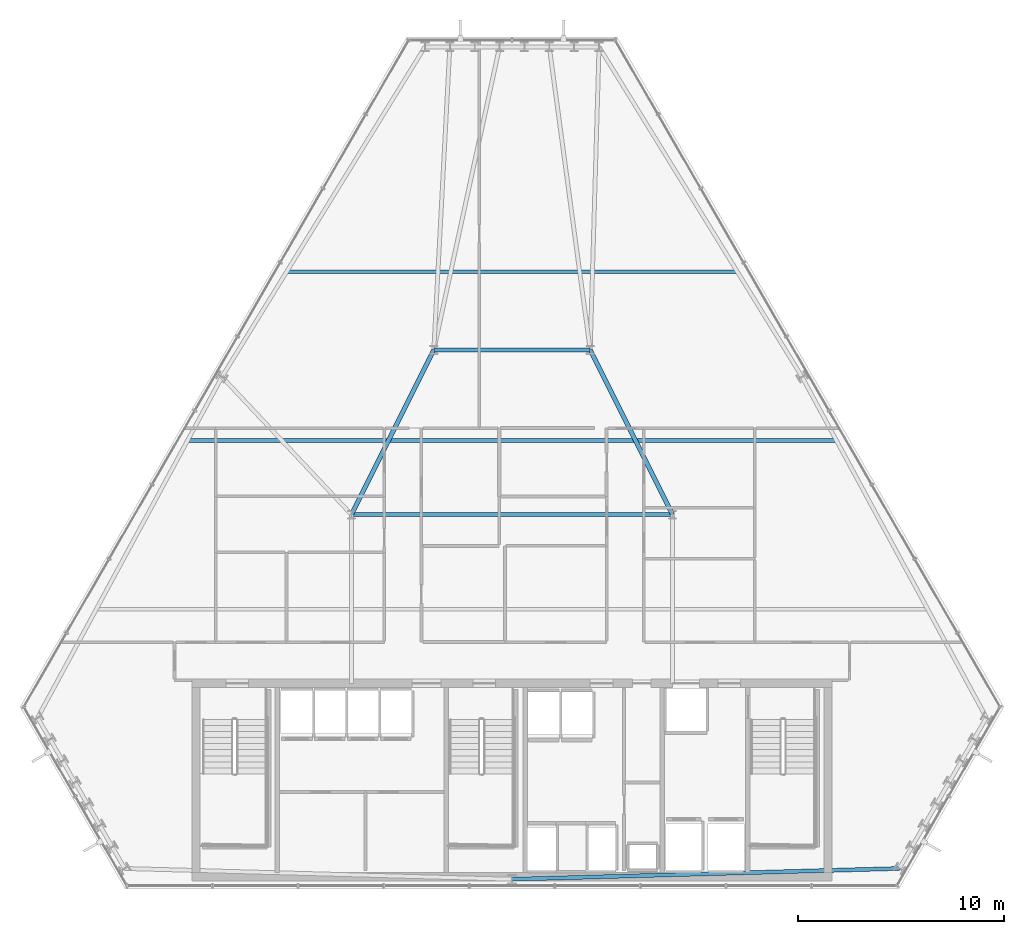
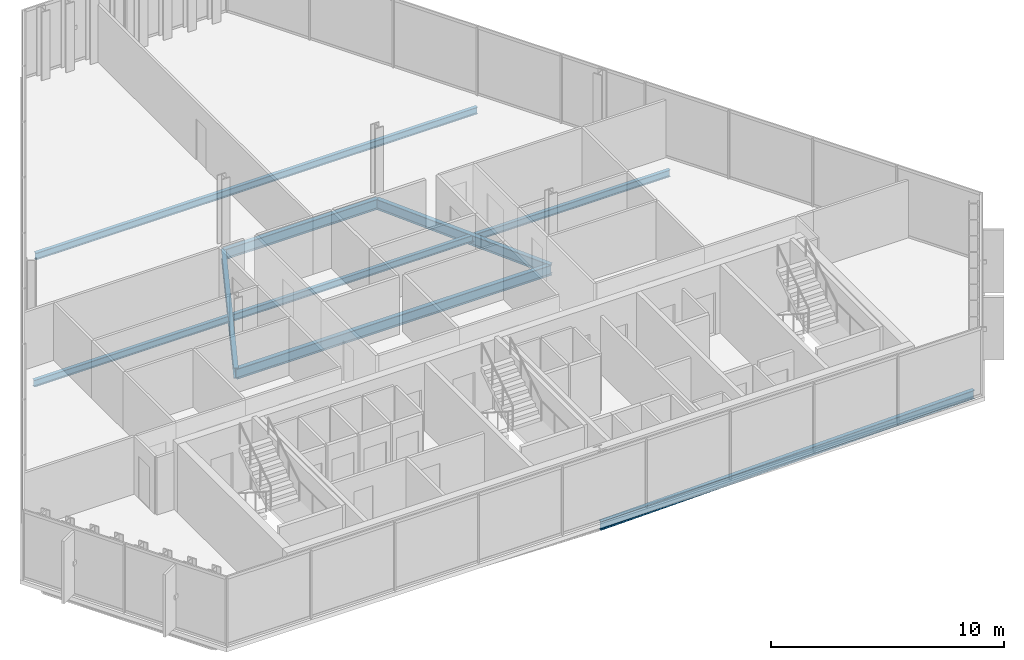
# One storey, part 14 of 35: 7 beams.
"""IFC4 building model written with IfcOpenShell, lengths in metres."""

from ifc_helpers import new_model, si_unit, direction, frame, origin, origin_2d, place, context, subcontext, project, spatial, i_section, extrude, material, material_profile, profile_set, type_object, element, save


model = new_model("IFC4")

# Units and contexts
model_context = context("Model", 3, precision=1e-05, world=origin(), true_north=direction((0.0, 1.0)))
body_context = subcontext(model_context, "Body", "Model", "MODEL_VIEW")
ifc_project = project(units=[si_unit("LENGTHUNIT", "METRE"), si_unit("AREAUNIT", "SQUARE_METRE"), si_unit("VOLUMEUNIT", "CUBIC_METRE"), si_unit("PLANEANGLEUNIT", "RADIAN"), si_unit("MASSUNIT", "GRAM", prefix="KILO")], contexts=[model_context])

# Site, building, storey
site_placement = place(None, origin())
site = spatial("IfcSite", under=ifc_project, at=site_placement, CompositionType="ELEMENT")
building_placement = place(site_placement, origin())
building = spatial("IfcBuilding", under=site, at=building_placement, Name="Ndaravel Arena Tower", CompositionType="ELEMENT")
storey_placement = place(building_placement, frame((0.0, 0.0, 176.39990234375)))
storey = spatial("IfcBuildingStorey", under=building, at=storey_placement, Name="L42", CompositionType="ELEMENT", Elevation=176.39990234375)

# Beams
ifc_material_1 = material(Name="Steel S355", Category="steel")
ifc_material_profile_1 = material_profile(ifc_material_1, i_section(OverallWidth=0.210693359375, OverallDepth=0.53955078125, WebThickness=0.01171875, FlangeThickness=0.018798828125, FilletRadius=0.0126953125, at=origin_2d()), Name="UB 533x210x109")
ifc_profile_set_1 = profile_set([ifc_material_profile_1], Name="Steel S355")
beam_type_1 = type_object("IfcBeamType", Name="BM-GIRD-UB533", PredefinedType="BEAM", material=ifc_profile_set_1)
beam_1_placement = place(storey_placement, frame((34.199951171875, 23.199951171875, -0.489501953125), z_axis=(1.0, 0.0, 0.0), x_axis=(0.0, 1.0, 0.0)))
element("IfcBeam", 1, at=beam_1_placement, inside=storey, type_object=beam_type_1, Name="L42 Spine Link Girder SLG-03", PredefinedType="BEAM", context=body_context, shape_type="SweptSolid", body=[
    extrude(i_section(OverallWidth=0.210693359375, OverallDepth=0.53955078125, WebThickness=0.01171875, FlangeThickness=0.018798828125, FilletRadius=0.0126953125, at=origin_2d()), origin(), (0.0, 0.0, 1.0), 15.60009765625),
])
for number, where, z_axis, x_axis, name in (
    (2, (34.199951171875, 23.199951171875, -0.489501953125), (0.4472135955, 0.894427191, 0.0), (-0.894427191, 0.4472135955, 0.0), "L42 Spine Link Girder SLG-04"),
    (3, (49.800048828125, 23.199951171875, -0.489501953125), (-0.4472135955, 0.894427191, 0.0), (-0.894427191, -0.4472135955, 0.0), "L42 Spine Link Girder SLG-05"),
):
    element("IfcBeam", number, at=place(storey_placement, frame(where, z_axis=z_axis, x_axis=x_axis)), inside=storey, type_object=beam_type_1, Name=name, PredefinedType="BEAM", context=body_context, shape_type="SweptSolid", body=[
        extrude(i_section(OverallWidth=0.210693359375, OverallDepth=0.53955078125, WebThickness=0.01171875, FlangeThickness=0.018798828125, FilletRadius=0.0126953125, at=origin_2d()), origin(), (0.0, 0.0, 1.0), 8.9443359375),
    ])
beam_2_placement = place(storey_placement, frame((38.199951171875, 31.199951171875, -0.489501953125), z_axis=(1.0, 0.0, 0.0), x_axis=(0.0, 1.0, 0.0)))
element("IfcBeam", 4, at=beam_2_placement, inside=storey, type_object=beam_type_1, Name="L42 Spine Link Girder SLG-06", PredefinedType="BEAM", context=body_context, shape_type="SweptSolid", body=[
    extrude(i_section(OverallWidth=0.210693359375, OverallDepth=0.53955078125, WebThickness=0.01171875, FlangeThickness=0.018798828125, FilletRadius=0.0126953125, at=origin_2d()), origin(), (0.0, 0.0, 1.0), 7.60009765625),
])
ifc_material_2 = material(Name="Steel S355", Category="steel")
ifc_material_profile_2 = material_profile(ifc_material_2, i_section(OverallWidth=0.172119140625, OverallDepth=0.35791015625, WebThickness=0.008056640625, FlangeThickness=0.012939453125, FilletRadius=0.01025390625, at=origin_2d()), Name="UB 356x171x57")
ifc_profile_set_2 = profile_set([ifc_material_profile_2], Name="Steel S355")
beam_type_2 = type_object("IfcBeamType", Name="BM-JOIST-UB356", PredefinedType="JOIST", material=ifc_profile_set_2)
beam_3_placement = place(storey_placement, frame((26.235107421875, 26.800048828125, -0.39892578125), z_axis=(1.0, 0.0, 0.0), x_axis=(0.0, 1.0, 0.0)))
element("IfcBeam", 5, at=beam_3_placement, inside=storey, type_object=beam_type_2, Name="L42 Composite Floor Joist FJ-02", PredefinedType="JOIST", context=body_context, shape_type="SweptSolid", body=[
    extrude(i_section(OverallWidth=0.172119140625, OverallDepth=0.35791015625, WebThickness=0.008056640625, FlangeThickness=0.012939453125, FilletRadius=0.01025390625, at=origin_2d()), origin(), (0.0, 0.0, 1.0), 31.52978515625),
])
beam_4_placement = place(storey_placement, frame((31.049072265625, 35.0, -0.39892578125), z_axis=(1.0, 0.0, 0.0), x_axis=(0.0, 1.0, 0.0)))
element("IfcBeam", 6, at=beam_4_placement, inside=storey, type_object=beam_type_2, Name="L42 Composite Floor Joist FJ-03", PredefinedType="JOIST", context=body_context, shape_type="SweptSolid", body=[
    extrude(i_section(OverallWidth=0.172119140625, OverallDepth=0.35791015625, WebThickness=0.008056640625, FlangeThickness=0.012939453125, FilletRadius=0.01025390625, at=origin_2d()), origin(), (0.0, 0.0, 1.0), 21.90185546875),
])
ifc_material_3 = material(Name="Steel S355", Category="steel")
ifc_material_profile_3 = material_profile(ifc_material_3, i_section(OverallWidth=0.18994140625, OverallDepth=0.449951171875, WebThickness=0.009521484375, FlangeThickness=0.0146484375, FilletRadius=0.02099609375, at=origin_2d()), Name="IPE 450")
ifc_profile_set_3 = profile_set([ifc_material_profile_3], Name="Steel S355")
beam_type_3 = type_object("IfcBeamType", Name="BM-SPAN-IPE450", PredefinedType="SPANDREL", material=ifc_profile_set_3)
beam_5_placement = place(storey_placement, frame((42.0, 5.47998046875, -0.44482421875), z_axis=(0.999613480309, 0.027800898972, 0.0), x_axis=(-0.027800898972, 0.999613480309, 0.0)))
element("IfcBeam", 7, at=beam_5_placement, inside=storey, type_object=beam_type_3, Name="L42 Perimeter Spandrel Beam SP-01", PredefinedType="SPANDREL", context=body_context, shape_type="SweptSolid", body=[
    extrude(i_section(OverallWidth=0.18994140625, OverallDepth=0.449951171875, WebThickness=0.009521484375, FlangeThickness=0.0146484375, FilletRadius=0.02099609375, at=origin_2d()), origin(), (0.0, 0.0, 1.0), 18.828125),
])

save(model, "model.ifc")
